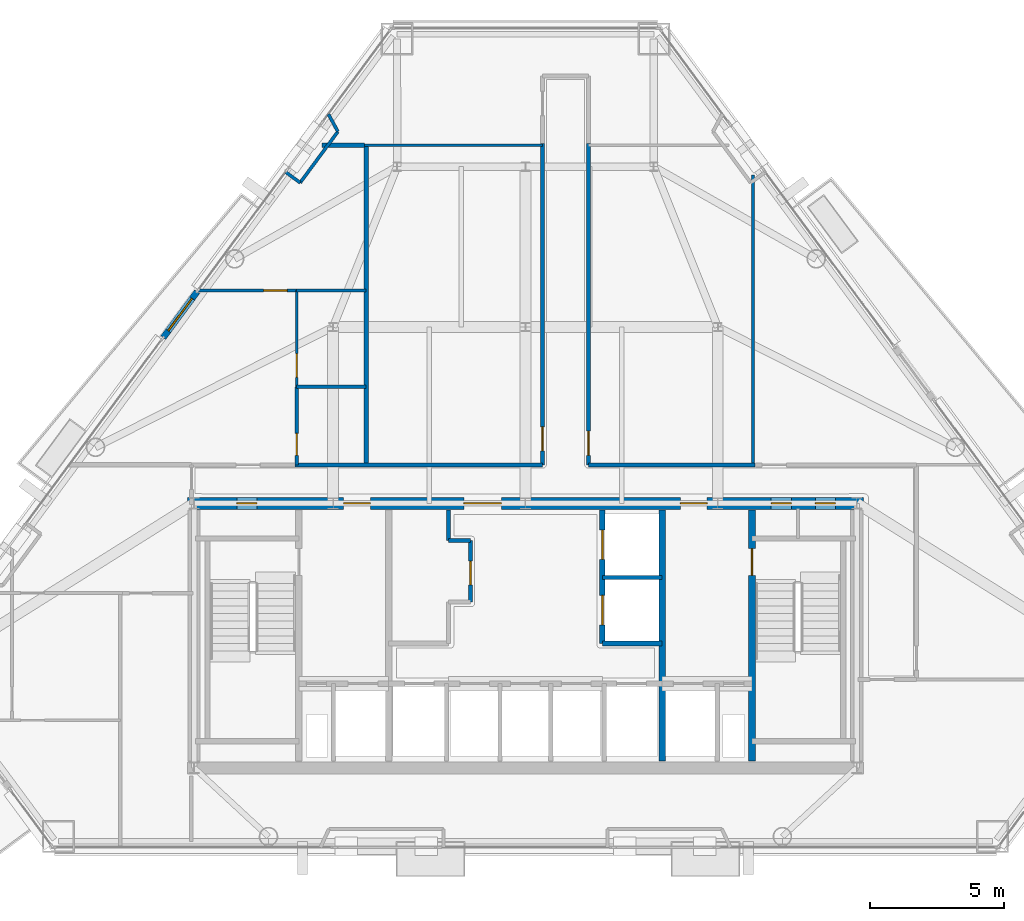
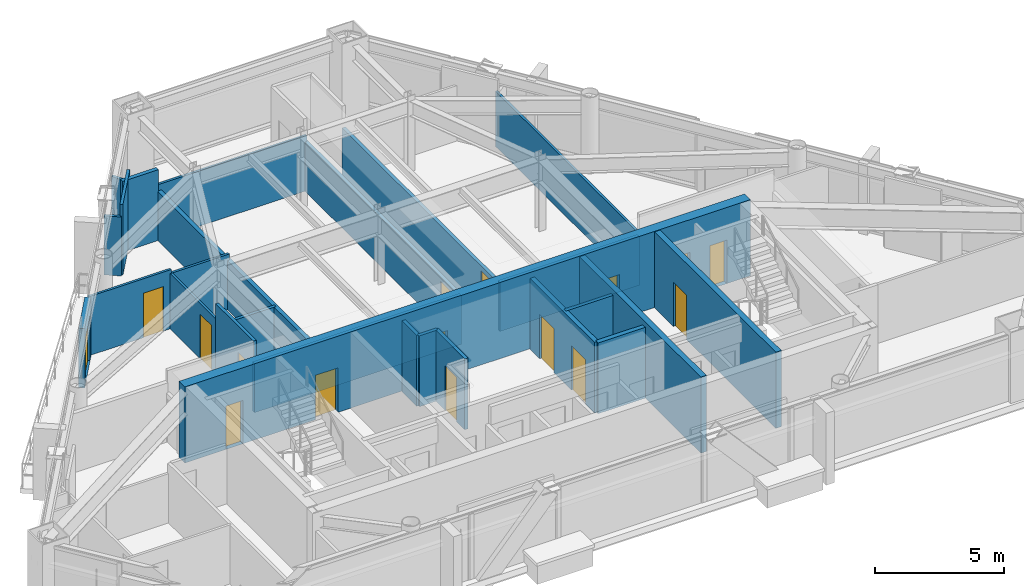
# One storey, part 8 of 11: 26 walls, 16 doors, 16 openings.
"""IFC4 building model written with IfcOpenShell, lengths in metres."""

from ifc_helpers import new_model, si_unit, direction, frame, frame_2d, origin, place, context, subcontext, project, spatial, rectangle, extrude, material, layer, layer_set, type_object, element, fill, save


model = new_model("IFC4")

# Units and contexts
model_context = context("Model", 3, precision=1e-05, world=origin(), true_north=direction((0.0, 1.0)))
body_context = subcontext(model_context, "Body", "Model", "MODEL_VIEW")
ifc_project = project(units=[si_unit("LENGTHUNIT", "METRE"), si_unit("AREAUNIT", "SQUARE_METRE"), si_unit("VOLUMEUNIT", "CUBIC_METRE"), si_unit("PLANEANGLEUNIT", "RADIAN"), si_unit("MASSUNIT", "GRAM", prefix="KILO")], contexts=[model_context])

# Site, building, storey
site_placement = place(None, origin())
site = spatial("IfcSite", under=ifc_project, at=site_placement, CompositionType="ELEMENT")
building_placement = place(site_placement, origin())
building = spatial("IfcBuilding", under=site, at=building_placement, Name="Talgorran Terracotta Tower", CompositionType="ELEMENT")
storey_placement = place(building_placement, frame((0.0, 0.0, 143.699951171875)))
storey = spatial("IfcBuildingStorey", under=building, at=storey_placement, Name="L37", CompositionType="ELEMENT", Elevation=143.699951171875)

# Wall, opening, door
ifc_material_1 = material(Name="Concrete C40/50", Category="concrete")
ifc_layer_1 = layer(ifc_material_1, 0.239990234375, Name="WT_BALCONY_SPAND")
ifc_layer_set_1 = layer_set([ifc_layer_1], Name="Concrete C40/50")
wall_type_1 = type_object("IfcWallType", Name="WT_BALCONY_SPAND", PredefinedType="STANDARD", material=ifc_layer_set_1)
wall_1_placement = place(storey_placement, frame((-12.28759765625, 3.72119140625, -0.014892578125), z_axis=(0.0, 0.0, 1.0), x_axis=(-0.593996463284, -0.804467651062, 0.0)))
wall_1 = element("IfcWall", 1, at=wall_1_placement, inside=storey, type_object=wall_type_1, Name="WL-L37-BALP-BAL-NW", PredefinedType="STANDARD", context=body_context, shape_type="SweptSolid", body=[
    extrude(rectangle(XDim=2.14013671875, YDim=0.239990234375, at=frame_2d((1.070068359375, 0.0))), origin(), (0.0, 0.0, 1.0), 2.806884765625),
])
opening_1_placement = place(wall_1_placement, frame((0.320068359375, 0.0, 0.014892578125)))
opening_1 = element("IfcOpeningElement", 2, at=opening_1_placement, cuts=wall_1, Name="Opening D-BAL-L37-2", PredefinedType="OPENING", context=body_context, shape_type="SweptSolid", body=[
    extrude(rectangle(XDim=1.506, YDim=2.203951171875, at=frame_2d((0.75, 1.10205078125))), frame((0.0, 0.1298828125, 0.0), z_axis=(0.0, -1.0, 0.0), x_axis=(1.0, 0.0, 0.0)), (0.0, 0.0, 1.0), 0.260009765625),
])
ifc_material_2 = material(Name="Thermally Broken Aluminium", Category="aluminium")
door_type_1 = type_object("IfcDoorType", Name="DT_BALC_1500", OperationType="SLIDING_TO_RIGHT", PredefinedType="DOOR", material=ifc_material_2)
door_1_placement = place(opening_1_placement, origin())
door_1 = element("IfcDoor", 3, at=door_1_placement, inside=storey, type_object=door_type_1, Name="DR-L37-BAL-BAL-NW", OperationType="SLIDING_TO_RIGHT", OverallHeight=2.199951171875, OverallWidth=1.5, PredefinedType="DOOR", context=body_context, shape_type="SweptSolid", body=[
    extrude(rectangle(XDim=1.5, YDim=2.199951171875, at=frame_2d((0.75, 1.10009765625))), frame((0.0, 0.02490234375, 0.0), z_axis=(0.0, -1.0, 0.0), x_axis=(1.0, 0.0, 0.0)), (0.0, 0.0, 1.0), 0.050048828125),
])
fill(opening_1, door_1)

# Wall, openings, doors
ifc_material_3 = material(Name="Concrete C50/60", Category="concrete")
ifc_layer_2 = layer(ifc_material_3, 0.199951171875, Name="WT_CORE_200")
ifc_layer_set_2 = layer_set([ifc_layer_2], Name="Concrete C50/60")
wall_type_2 = type_object("IfcWallType", Name="WT_CORE_200", PredefinedType="SOLIDWALL", material=ifc_layer_set_2)
wall_2_placement = place(storey_placement, frame((2.8798828125, -9.449951171875, 0.0), z_axis=(0.0, 0.0, 1.0), x_axis=(0.0, 1.0, 0.0)))
wall_2 = element("IfcWall", 4, at=wall_2_placement, inside=storey, type_object=wall_type_2, Name="WL-L37-CW-V-E3", PredefinedType="SOLIDWALL", context=body_context, shape_type="SweptSolid", body=[
    extrude(rectangle(XDim=5.0, YDim=0.199951171875, at=frame_2d((2.5, 0.0))), origin(), (0.0, 0.0, 1.0), 3.35009765625),
])
opening_2_placement = place(wall_2_placement, frame((0.699951171875, 0.0, 0.0)))
opening_2 = element("IfcOpeningElement", 5, at=opening_2_placement, cuts=wall_2, Name="Opening LD-PLM1", PredefinedType="OPENING", context=body_context, shape_type="SweptSolid", body=[
    extrude(rectangle(XDim=1.10609765625, YDim=2.10409765625, at=frame_2d((0.550048828125, 1.052001953125))), frame((0.0, 0.10986328125, 0.0), z_axis=(0.0, -1.0, 0.0), x_axis=(1.0, 0.0, 0.0)), (0.0, 0.0, 1.0), 0.219970703125),
])
opening_3_placement = place(wall_2_placement, frame((3.14990234375, 0.0, 0.0)))
opening_3 = element("IfcOpeningElement", 6, at=opening_3_placement, cuts=wall_2, Name="Opening LD-PLM2", PredefinedType="OPENING", context=body_context, shape_type="SweptSolid", body=[
    extrude(rectangle(XDim=1.10609765625, YDim=2.10409765625, at=frame_2d((0.550048828125, 1.052001953125))), frame((0.0, 0.10986328125, 0.0), z_axis=(0.0, -1.0, 0.0), x_axis=(1.0, 0.0, 0.0)), (0.0, 0.0, 1.0), 0.219970703125),
])
ifc_material_4 = material(Name="Brushed Stainless Steel Grade 304", Category="steel")
door_type_2 = type_object("IfcDoorType", Name="DT_LIFT_LD1100", OperationType="DOUBLE_DOOR_SLIDING", PredefinedType="DOOR", material=ifc_material_4)
door_2_placement = place(opening_2_placement, origin())
door_2 = element("IfcDoor", 7, at=door_2_placement, inside=storey, type_object=door_type_2, Name="L37 Lift Landing Door LD-PLM1", OperationType="DOUBLE_DOOR_SLIDING", OverallHeight=2.10009765625, OverallWidth=1.10009765625, PredefinedType="DOOR", context=body_context, shape_type="SweptSolid", body=[
    extrude(rectangle(XDim=1.10009765625, YDim=2.10009765625, at=frame_2d((0.550048828125, 1.050048828125))), frame((0.0, 0.02490234375, 0.0), z_axis=(0.0, -1.0, 0.0), x_axis=(1.0, 0.0, 0.0)), (0.0, 0.0, 1.0), 0.050048828125),
])
fill(opening_2, door_2)
door_3_placement = place(opening_3_placement, origin())
door_3 = element("IfcDoor", 8, at=door_3_placement, inside=storey, type_object=door_type_2, Name="L37 Lift Landing Door LD-PLM2", OperationType="DOUBLE_DOOR_SLIDING", OverallHeight=2.10009765625, OverallWidth=1.10009765625, PredefinedType="DOOR", context=body_context, shape_type="SweptSolid", body=[
    extrude(rectangle(XDim=1.10009765625, YDim=2.10009765625, at=frame_2d((0.550048828125, 1.050048828125))), frame((0.0, 0.02490234375, 0.0), z_axis=(0.0, -1.0, 0.0), x_axis=(1.0, 0.0, 0.0)), (0.0, 0.0, 1.0), 0.050048828125),
])
fill(opening_3, door_3)

# Wall
wall_3_placement = place(storey_placement, frame((2.8798828125, -9.449951171875, 0.0), z_axis=(0.0, 0.0, 1.0), x_axis=(1.0, 0.0, 0.0)))
element("IfcWall", 9, at=wall_3_placement, inside=storey, type_object=wall_type_2, Name="WL-L37-CW-H-E4", PredefinedType="SOLIDWALL", context=body_context, shape_type="SweptSolid", body=[
    extrude(rectangle(XDim=2.240234375, YDim=0.199951171875, at=frame_2d((1.1201171875, 0.0))), origin(), (0.0, 0.0, 1.0), 3.35009765625),
])

# Wall, opening, door
ifc_layer_3 = layer(ifc_material_3, 0.25, Name="WT_CORE_250")
ifc_layer_set_3 = layer_set([ifc_layer_3], Name="Concrete C50/60")
wall_type_3 = type_object("IfcWallType", Name="WT_CORE_250", PredefinedType="SHEAR", material=ifc_layer_set_3)
wall_4_placement = place(storey_placement, frame((8.47998046875, -13.85009765625, 0.0), z_axis=(0.0, 0.0, 1.0), x_axis=(0.0, 1.0, 0.0)))
wall_4 = element("IfcWall", 10, at=wall_4_placement, inside=storey, type_object=wall_type_3, Name="WL-L37-CW-V-E1", PredefinedType="SHEAR", context=body_context, shape_type="SweptSolid", body=[
    extrude(rectangle(XDim=9.400146484375, YDim=0.25, at=frame_2d((4.7001953125, 0.0))), origin(), (0.0, 0.0, 1.0), 3.60009765625),
])
opening_4_placement = place(wall_4_placement, frame((6.949951171875, 0.0, 0.0)))
opening_4 = element("IfcOpeningElement", 11, at=opening_4_placement, cuts=wall_4, Name="Opening DR-ST02", PredefinedType="OPENING", context=body_context, shape_type="SweptSolid", body=[
    extrude(rectangle(XDim=1.006, YDim=2.10409765625, at=frame_2d((0.5, 1.052001953125))), frame((0.0, 0.135009765625, 0.0), z_axis=(0.0, -1.0, 0.0), x_axis=(1.0, 0.0, 0.0)), (0.0, 0.0, 1.0), 0.27001953125),
])
ifc_material_5 = material(Name="Fire-Rated Pressed Steel", Category="steel")
door_type_3 = type_object("IfcDoorType", Name="DT_FIRE_1000", OperationType="NOTDEFINED", PredefinedType="DOOR", material=ifc_material_5)
door_4_placement = place(opening_4_placement, origin())
door_4 = element("IfcDoor", 12, at=door_4_placement, inside=storey, type_object=door_type_3, Name="DR-ST02", OperationType="SINGLE_SWING_RIGHT", OverallHeight=2.10009765625, OverallWidth=1.0, PredefinedType="DOOR", context=body_context, shape_type="SweptSolid", body=[
    extrude(rectangle(XDim=1.0, YDim=2.10009765625, at=frame_2d((0.5, 1.050048828125))), frame((0.0, 0.02490234375, 0.0), z_axis=(0.0, -1.0, 0.0), x_axis=(1.0, 0.0, 0.0)), (0.0, 0.0, 1.0), 0.050048828125),
])
fill(opening_4, door_4)

# Wall
wall_5_placement = place(storey_placement, frame((5.1201171875, -13.85009765625, 0.0), z_axis=(0.0, 0.0, 1.0), x_axis=(0.0, 1.0, 0.0)))
element("IfcWall", 13, at=wall_5_placement, inside=storey, type_object=wall_type_3, Name="WL-L37-CW-V-E2", PredefinedType="SHEAR", context=body_context, shape_type="SweptSolid", body=[
    extrude(rectangle(XDim=9.400146484375, YDim=0.25, at=frame_2d((4.7001953125, 0.0))), origin(), (0.0, 0.0, 1.0), 3.60009765625),
])

# Wall, openings, doors
ifc_material_6 = material(Name="Concrete C65/80", Category="concrete")
ifc_layer_4 = layer(ifc_material_6, 0.449951171875, Name="WT_CORE_EXT")
ifc_layer_set_4 = layer_set([ifc_layer_4], Name="Concrete C65/80")
wall_type_4 = type_object("IfcWallType", Name="WT_CORE_EXT", PredefinedType="SHEAR", material=ifc_layer_set_4)
wall_6_placement = place(storey_placement, frame((-12.64990234375, -4.199951171875, 0.0), z_axis=(0.0, 0.0, 1.0), x_axis=(1.0, 0.0, 0.0)))
wall_6 = element("IfcWall", 14, at=wall_6_placement, inside=storey, type_object=wall_type_4, Name="WL-L37-CW-OUT-N", PredefinedType="SHEAR", context=body_context, shape_type="SweptSolid", body=[
    extrude(rectangle(XDim=25.2998046875, YDim=0.449951171875, at=frame_2d((12.64990234375, 0.0))), origin(), (0.0, 0.0, 1.0), 3.60009765625),
])
opening_5_placement = place(wall_6_placement, frame((1.85009765625, 0.0, 0.0)))
opening_5 = element("IfcOpeningElement", 15, at=opening_5_placement, cuts=wall_6, Name="Opening DR-CSN1", PredefinedType="OPENING", context=body_context, shape_type="SweptSolid", body=[
    extrude(rectangle(XDim=0.756, YDim=2.054048828125, at=frame_2d((0.375, 1.027099609375))), frame((0.0, 0.23486328125, 0.0), z_axis=(0.0, -1.0, 0.0), x_axis=(1.0, 0.0, 0.0)), (0.0, 0.0, 1.0), 0.469970703125),
])
opening_6_placement = place(wall_6_placement, frame((21.85009765625, 0.0, 0.0)))
opening_6 = element("IfcOpeningElement", 16, at=opening_6_placement, cuts=wall_6, Name="Opening DR-CSN2", PredefinedType="OPENING", context=body_context, shape_type="SweptSolid", body=[
    extrude(rectangle(XDim=0.756, YDim=2.054048828125, at=frame_2d((0.375, 1.027099609375))), frame((0.0, 0.23486328125, 0.0), z_axis=(0.0, -1.0, 0.0), x_axis=(1.0, 0.0, 0.0)), (0.0, 0.0, 1.0), 0.469970703125),
])
opening_7_placement = place(wall_6_placement, frame((23.5, 0.0, 0.0)))
opening_7 = element("IfcOpeningElement", 17, at=opening_7_placement, cuts=wall_6, Name="Opening DR-CSN3", PredefinedType="OPENING", context=body_context, shape_type="SweptSolid", body=[
    extrude(rectangle(XDim=0.756, YDim=2.054048828125, at=frame_2d((0.375, 1.027099609375))), frame((0.0, 0.23486328125, 0.0), z_axis=(0.0, -1.0, 0.0), x_axis=(1.0, 0.0, 0.0)), (0.0, 0.0, 1.0), 0.469970703125),
])
opening_8_placement = place(wall_6_placement, frame((5.85009765625, 0.0, 0.0)))
opening_8 = element("IfcOpeningElement", 18, at=opening_8_placement, cuts=wall_6, Name="Opening DR-FFLW-N", PredefinedType="OPENING", context=body_context, shape_type="SweptSolid", body=[
    extrude(rectangle(XDim=1.006, YDim=2.10409765625, at=frame_2d((0.5, 1.052001953125))), frame((0.0, 0.23486328125, 0.0), z_axis=(0.0, -1.0, 0.0), x_axis=(1.0, 0.0, 0.0)), (0.0, 0.0, 1.0), 0.469970703125),
])
opening_9_placement = place(wall_6_placement, frame((10.35009765625, 0.0, 0.0)))
opening_9 = element("IfcOpeningElement", 19, at=opening_9_placement, cuts=wall_6, Name="Opening DR-PLL-N", PredefinedType="OPENING", context=body_context, shape_type="SweptSolid", body=[
    extrude(rectangle(XDim=1.40590234375, YDim=2.15390234375, at=frame_2d((0.699951171875, 1.076904296875))), frame((0.0, 0.23486328125, 0.0), z_axis=(0.0, -1.0, 0.0), x_axis=(1.0, 0.0, 0.0)), (0.0, 0.0, 1.0), 0.469970703125),
])
opening_10_placement = place(wall_6_placement, frame((18.449951171875, 0.0, 0.0)))
opening_10 = element("IfcOpeningElement", 20, at=opening_10_placement, cuts=wall_6, Name="Opening DR-FFLE-N", PredefinedType="OPENING", context=body_context, shape_type="SweptSolid", body=[
    extrude(rectangle(XDim=1.006, YDim=2.10409765625, at=frame_2d((0.5, 1.052001953125))), frame((0.0, 0.23486328125, 0.0), z_axis=(0.0, -1.0, 0.0), x_axis=(1.0, 0.0, 0.0)), (0.0, 0.0, 1.0), 0.469970703125),
])
ifc_material_7 = material(Name="Acoustic Glazed Timber", Category="wood")
door_type_4 = type_object("IfcDoorType", Name="DT_DOUBLE_1400", OperationType="DOUBLE_DOOR_SINGLE_SWING", PredefinedType="DOOR", material=ifc_material_7)
door_5_placement = place(opening_9_placement, origin())
door_5 = element("IfcDoor", 21, at=door_5_placement, inside=storey, type_object=door_type_4, Name="DR-PLL-N", OperationType="DOUBLE_DOOR_SINGLE_SWING", OverallHeight=2.14990234375, OverallWidth=1.39990234375, PredefinedType="DOOR", context=body_context, shape_type="SweptSolid", body=[
    extrude(rectangle(XDim=1.39990234375, YDim=2.14990234375, at=frame_2d((0.699951171875, 1.074951171875))), frame((0.0, 0.02490234375, 0.0), z_axis=(0.0, -1.0, 0.0), x_axis=(1.0, 0.0, 0.0)), (0.0, 0.0, 1.0), 0.050048828125),
])
fill(opening_9, door_5)
door_6_placement = place(opening_8_placement, origin())
door_6 = element("IfcDoor", 22, at=door_6_placement, inside=storey, type_object=door_type_3, Name="DR-FFLW-N", OperationType="SINGLE_SWING_LEFT", OverallHeight=2.10009765625, OverallWidth=1.0, PredefinedType="DOOR", context=body_context, shape_type="SweptSolid", body=[
    extrude(rectangle(XDim=1.0, YDim=2.10009765625, at=frame_2d((0.5, 1.050048828125))), frame((0.0, 0.02490234375, 0.0), z_axis=(0.0, -1.0, 0.0), x_axis=(1.0, 0.0, 0.0)), (0.0, 0.0, 1.0), 0.050048828125),
])
fill(opening_8, door_6)
door_7_placement = place(opening_10_placement, origin())
door_7 = element("IfcDoor", 23, at=door_7_placement, inside=storey, type_object=door_type_3, Name="DR-FFLE-N", OperationType="SINGLE_SWING_RIGHT", OverallHeight=2.10009765625, OverallWidth=1.0, PredefinedType="DOOR", context=body_context, shape_type="SweptSolid", body=[
    extrude(rectangle(XDim=1.0, YDim=2.10009765625, at=frame_2d((0.5, 1.050048828125))), frame((0.0, 0.02490234375, 0.0), z_axis=(0.0, -1.0, 0.0), x_axis=(1.0, 0.0, 0.0)), (0.0, 0.0, 1.0), 0.050048828125),
])
fill(opening_10, door_7)
door_type_5 = type_object("IfcDoorType", Name="DT_RISER_750", OperationType="NOTDEFINED", PredefinedType="DOOR", material=ifc_material_5)
door_8_placement = place(opening_5_placement, origin())
door_8 = element("IfcDoor", 24, at=door_8_placement, inside=storey, type_object=door_type_5, Name="DR-CSN1", OperationType="SINGLE_SWING_LEFT", OverallHeight=2.050048828125, OverallWidth=0.75, PredefinedType="DOOR", context=body_context, shape_type="SweptSolid", body=[
    extrude(rectangle(XDim=0.75, YDim=2.050048828125, at=frame_2d((0.375, 1.02490234375))), frame((0.0, 0.02490234375, 0.0), z_axis=(0.0, -1.0, 0.0), x_axis=(1.0, 0.0, 0.0)), (0.0, 0.0, 1.0), 0.050048828125),
])
fill(opening_5, door_8)
door_9_placement = place(opening_6_placement, origin())
door_9 = element("IfcDoor", 25, at=door_9_placement, inside=storey, type_object=door_type_5, Name="DR-CSN2", OperationType="SINGLE_SWING_LEFT", OverallHeight=2.050048828125, OverallWidth=0.75, PredefinedType="DOOR", context=body_context, shape_type="SweptSolid", body=[
    extrude(rectangle(XDim=0.75, YDim=2.050048828125, at=frame_2d((0.375, 1.02490234375))), frame((0.0, 0.02490234375, 0.0), z_axis=(0.0, -1.0, 0.0), x_axis=(1.0, 0.0, 0.0)), (0.0, 0.0, 1.0), 0.050048828125),
])
fill(opening_6, door_9)
door_10_placement = place(opening_7_placement, origin())
door_10 = element("IfcDoor", 26, at=door_10_placement, inside=storey, type_object=door_type_5, Name="DR-CSN3", OperationType="SINGLE_SWING_RIGHT", OverallHeight=2.050048828125, OverallWidth=0.75, PredefinedType="DOOR", context=body_context, shape_type="SweptSolid", body=[
    extrude(rectangle(XDim=0.75, YDim=2.050048828125, at=frame_2d((0.375, 1.02490234375))), frame((0.0, 0.02490234375, 0.0), z_axis=(0.0, -1.0, 0.0), x_axis=(1.0, 0.0, 0.0)), (0.0, 0.0, 1.0), 0.050048828125),
])
fill(opening_7, door_10)

# Wall, opening, door
ifc_material_8 = material(Name="Fire-Rated Steel Stud Plasterboard", Category="steel")
ifc_layer_5 = layer(ifc_material_8, 0.14990234375, Name="WT_FIRE_150")
ifc_layer_set_5 = layer_set([ifc_layer_5], Name="Fire-Rated Steel Stud Plasterboard")
wall_type_5 = type_object("IfcWallType", Name="WT_FIRE_150", PredefinedType="PARTITIONING", material=ifc_layer_set_5)
wall_7_placement = place(storey_placement, frame((-2.06005859375, -7.89990234375, 0.0), z_axis=(0.0, 0.0, 1.0), x_axis=(0.0, 1.0, 0.0)))
wall_7 = element("IfcWall", 27, at=wall_7_placement, inside=storey, type_object=wall_type_5, Name="WL-L37-CW-V-W3C", PredefinedType="PARTITIONING", context=body_context, shape_type="SweptSolid", body=[
    extrude(rectangle(XDim=2.2998046875, YDim=0.14990234375, at=frame_2d((1.14990234375, 0.0))), origin(), (0.0, 0.0, 1.0), 3.35009765625),
])
opening_11_placement = place(wall_7_placement, frame((0.64990234375, 0.0, 0.0)))
opening_11 = element("IfcOpeningElement", 28, at=opening_11_placement, cuts=wall_7, Name="Opening DR-FRPLL-B", PredefinedType="OPENING", context=body_context, shape_type="SweptSolid", body=[
    extrude(rectangle(XDim=0.8858828125, YDim=2.10409765625, at=frame_2d((0.43994140625, 1.052001953125))), frame((0.0, 0.0849609375, 0.0), z_axis=(0.0, -1.0, 0.0), x_axis=(1.0, 0.0, 0.0)), (0.0, 0.0, 1.0), 0.169921875),
])
ifc_material_9 = material(Name="Solid-Core Painted Timber", Category="wood")
door_type_6 = type_object("IfcDoorType", Name="DT_INT_880", OperationType="NOTDEFINED", PredefinedType="DOOR", material=ifc_material_9)
door_11_placement = place(opening_11_placement, origin())
door_11 = element("IfcDoor", 29, at=door_11_placement, inside=storey, type_object=door_type_6, Name="DR-FRPLL-B", OperationType="SINGLE_SWING_LEFT", OverallHeight=2.10009765625, OverallWidth=0.8798828125, PredefinedType="DOOR", context=body_context, shape_type="SweptSolid", body=[
    extrude(rectangle(XDim=0.8798828125, YDim=2.10009765625, at=frame_2d((0.43994140625, 1.050048828125))), frame((0.0, 0.02490234375, 0.0), z_axis=(0.0, -1.0, 0.0), x_axis=(1.0, 0.0, 0.0)), (0.0, 0.0, 1.0), 0.050048828125),
])
fill(opening_11, door_11)

# Walls
wall_8_placement = place(storey_placement, frame((-2.8798828125, -5.60009765625, 0.0), z_axis=(0.0, 0.0, 1.0), x_axis=(1.0, 0.0, 0.0)))
element("IfcWall", 30, at=wall_8_placement, inside=storey, type_object=wall_type_5, Name="WL-L37-CW-H-W3D", PredefinedType="PARTITIONING", context=body_context, shape_type="SweptSolid", body=[
    extrude(rectangle(XDim=0.81982421875, YDim=0.14990234375, at=frame_2d((0.409912109375, 0.0))), origin(), (0.0, 0.0, 1.0), 3.35009765625),
])
wall_9_placement = place(storey_placement, frame((-2.8798828125, -5.60009765625, 0.0), z_axis=(0.0, 0.0, 1.0), x_axis=(0.0, 1.0, 0.0)))
element("IfcWall", 31, at=wall_9_placement, inside=storey, type_object=wall_type_5, Name="WL-L37-CW-V-W3E", PredefinedType="PARTITIONING", context=body_context, shape_type="SweptSolid", body=[
    extrude(rectangle(XDim=1.150146484375, YDim=0.14990234375, at=frame_2d((0.5751953125, 0.0))), origin(), (0.0, 0.0, 1.0), 3.35009765625),
])

# Wall, opening, door
wall_10_placement = place(storey_placement, frame((0.639892578125, -2.760009765625, 0.0), z_axis=(0.0, 0.0, 1.0), x_axis=(0.0, 1.0, 0.0)))
wall_10 = element("IfcWall", 32, at=wall_10_placement, inside=storey, type_object=wall_type_5, Name="WL-L37-W-L37-R10", PredefinedType="PARTITIONING", context=body_context, shape_type="SweptSolid", body=[
    extrude(rectangle(XDim=12.02001953125, YDim=0.14990234375, at=frame_2d((6.010009765625, 0.0))), origin(), (0.0, 0.0, 1.0), 2.324951171875),
])
opening_12_placement = place(wall_10_placement, frame((0.5185546875, 0.0, 0.0)))
opening_12 = element("IfcOpeningElement", 33, at=opening_12_placement, cuts=wall_10, Name="Opening DR-L37-R12", PredefinedType="OPENING", context=body_context, shape_type="SweptSolid", body=[
    extrude(rectangle(XDim=0.90590234375, YDim=2.10409765625, at=frame_2d((0.449951171875, 1.052001953125))), frame((0.0, 0.0849609375, 0.0), z_axis=(0.0, -1.0, 0.0), x_axis=(1.0, 0.0, 0.0)), (0.0, 0.0, 1.0), 0.169921875),
])
ifc_material_10 = material(Name="Fire-Rated Timber Core", Category="wood")
door_type_7 = type_object("IfcDoorType", Name="DT_FIRE_900", OperationType="NOTDEFINED", PredefinedType="DOOR", material=ifc_material_10)
door_12_placement = place(opening_12_placement, origin())
door_12 = element("IfcDoor", 34, at=door_12_placement, inside=storey, type_object=door_type_7, Name="DR-L37-R12", OperationType="SINGLE_SWING_RIGHT", OverallHeight=2.10009765625, OverallWidth=0.89990234375, PredefinedType="DOOR", context=body_context, shape_type="SweptSolid", body=[
    extrude(rectangle(XDim=0.89990234375, YDim=2.10009765625, at=frame_2d((0.449951171875, 1.050048828125))), frame((0.0, 0.02490234375, 0.0), z_axis=(0.0, -1.0, 0.0), x_axis=(1.0, 0.0, 0.0)), (0.0, 0.0, 1.0), 0.050048828125),
])
fill(opening_12, door_12)

wall_11_placement = place(storey_placement, frame((2.360107421875, -2.760009765625, 0.0), z_axis=(0.0, 0.0, 1.0), x_axis=(0.0, 1.0, 0.0)))
wall_11 = element("IfcWall", 35, at=wall_11_placement, inside=storey, type_object=wall_type_5, Name="WL-L37-W-L37-R11", PredefinedType="PARTITIONING", context=body_context, shape_type="SweptSolid", body=[
    extrude(rectangle(XDim=12.02001953125, YDim=0.14990234375, at=frame_2d((6.010009765625, 0.0))), origin(), (0.0, 0.0, 1.0), 2.324951171875),
])
opening_13_placement = place(wall_11_placement, frame((0.359130859375, 0.0, 0.0)))
opening_13 = element("IfcOpeningElement", 36, at=opening_13_placement, cuts=wall_11, Name="Opening DR-L37-R13", PredefinedType="OPENING", context=body_context, shape_type="SweptSolid", body=[
    extrude(rectangle(XDim=0.90590234375, YDim=2.10409765625, at=frame_2d((0.449951171875, 1.052001953125))), frame((0.0, 0.0849609375, 0.0), z_axis=(0.0, -1.0, 0.0), x_axis=(1.0, 0.0, 0.0)), (0.0, 0.0, 1.0), 0.169921875),
])
door_13_placement = place(opening_13_placement, origin())
door_13 = element("IfcDoor", 37, at=door_13_placement, inside=storey, type_object=door_type_7, Name="DR-L37-R13", OperationType="SINGLE_SWING_LEFT", OverallHeight=2.10009765625, OverallWidth=0.89990234375, PredefinedType="DOOR", context=body_context, shape_type="SweptSolid", body=[
    extrude(rectangle(XDim=0.89990234375, YDim=2.10009765625, at=frame_2d((0.449951171875, 1.050048828125))), frame((0.0, 0.02490234375, 0.0), z_axis=(0.0, -1.0, 0.0), x_axis=(1.0, 0.0, 0.0)), (0.0, 0.0, 1.0), 0.050048828125),
])
fill(opening_13, door_13)

# Walls
wall_12_placement = place(storey_placement, frame((-8.6201171875, -2.760009765625, 0.0), z_axis=(0.0, 0.0, 1.0), x_axis=(1.0, 0.0, 0.0)))
element("IfcWall", 38, at=wall_12_placement, inside=storey, type_object=wall_type_5, Name="WL-L37-W-L37-R09", PredefinedType="PARTITIONING", context=body_context, shape_type="SweptSolid", body=[
    extrude(rectangle(XDim=9.260009765625, YDim=0.14990234375, at=frame_2d((4.6298828125, 0.0))), origin(), (0.0, 0.0, 1.0), 2.324951171875),
])
wall_13_placement = place(storey_placement, frame((2.360107421875, -2.760009765625, 0.0), z_axis=(0.0, 0.0, 1.0), x_axis=(1.0, 0.0, 0.0)))
element("IfcWall", 39, at=wall_13_placement, inside=storey, type_object=wall_type_5, Name="WL-L37-W-L37-R12", PredefinedType="PARTITIONING", context=body_context, shape_type="SweptSolid", body=[
    extrude(rectangle(XDim=6.239990234375, YDim=0.14990234375, at=frame_2d((3.1201171875, 0.0))), origin(), (0.0, 0.0, 1.0), 2.324951171875),
])
ifc_material_11 = material(Name="Acoustic Stud and Plasterboard")
ifc_layer_6 = layer(ifc_material_11, 0.179931640625, Name="WT_PARTY_200")
ifc_layer_set_6 = layer_set([ifc_layer_6], Name="Acoustic Stud and Plasterboard")
wall_type_6 = type_object("IfcWallType", Name="WT_PARTY_200", PredefinedType="PARTITIONING", material=ifc_layer_set_6)
wall_14_placement = place(storey_placement, frame((-5.9599609375, -2.760009765625, 0.0), z_axis=(0.0, 0.0, 1.0), x_axis=(0.0, 1.0, 0.0)))
element("IfcWall", 40, at=wall_14_placement, inside=storey, type_object=wall_type_6, Name="WL-L37-W-L37-R34", PredefinedType="PARTITIONING", context=body_context, shape_type="SweptSolid", body=[
    extrude(rectangle(XDim=11.9599609375, YDim=0.179931640625, at=frame_2d((5.97998046875, 0.0))), origin(), (0.0, 0.0, 1.0), 2.324951171875),
])
wall_15_placement = place(storey_placement, frame((-7.6201171875, 9.199951171875, 0.0), z_axis=(0.0, 0.0, 1.0), x_axis=(1.0, 0.0, 0.0)))
element("IfcWall", 41, at=wall_15_placement, inside=storey, type_object=wall_type_6, Name="WL-L37-W-L37-R24", PredefinedType="PARTITIONING", context=body_context, shape_type="SweptSolid", body=[
    extrude(rectangle(XDim=1.59814453125, YDim=0.179931640625, at=frame_2d((0.799072265625, 0.0))), origin(), (0.0, 0.0, 1.0), 3.35009765625),
])
ifc_material_12 = material(Name="Lightweight Steel Stud Partition", Category="steel")
ifc_layer_7 = layer(ifc_material_12, 0.10498046875, Name="WT_PART_110")
ifc_layer_set_7 = layer_set([ifc_layer_7], Name="Lightweight Steel Stud Partition")
wall_type_7 = type_object("IfcWallType", Name="WT_PART_110", PredefinedType="PARTITIONING", material=ifc_layer_set_7)
wall_16_placement = place(storey_placement, frame((8.52001953125, -2.760009765625, 0.0), z_axis=(0.0, 0.0, 1.0), x_axis=(0.0, 1.0, 0.0)))
element("IfcWall", 42, at=wall_16_placement, inside=storey, type_object=wall_type_7, Name="WL-L37-W-L37-R35", PredefinedType="PARTITIONING", context=body_context, shape_type="SweptSolid", body=[
    extrude(rectangle(XDim=10.840087890625, YDim=0.10498046875, at=frame_2d((5.419921875, 0.0))), origin(), (0.0, 0.0, 1.0), 2.616943359375),
])
wall_17_placement = place(storey_placement, frame((-6.02001953125, 9.199951171875, 0.0), z_axis=(0.0, 0.0, 1.0), x_axis=(1.0, 0.0, 0.0)))
element("IfcWall", 43, at=wall_17_placement, inside=storey, type_object=wall_type_7, Name="WL-L37-W-L37-R25", PredefinedType="PARTITIONING", context=body_context, shape_type="SweptSolid", body=[
    extrude(rectangle(XDim=6.659912109375, YDim=0.10498046875, at=frame_2d((3.330078125, 0.0))), origin(), (0.0, 0.0, 1.0), 2.616943359375),
])

# Wall, opening, door
wall_18_placement = place(storey_placement, frame((-12.2587890625, 3.760009765625, 0.0), z_axis=(0.0, 0.0, 1.0), x_axis=(1.0, 0.0, 0.0)))
wall_18 = element("IfcWall", 44, at=wall_18_placement, inside=storey, type_object=wall_type_7, Name="WL-L37-W-L37-R33", PredefinedType="PARTITIONING", context=body_context, shape_type="SweptSolid", body=[
    extrude(rectangle(XDim=3.69873046875, YDim=0.10498046875, at=frame_2d((1.849365234375, 0.0))), origin(), (0.0, 0.0, 1.0), 2.7919921875),
])
opening_14_placement = place(wall_18_placement, frame((2.458740234375, 0.0, 0.0)))
opening_14 = element("IfcOpeningElement", 45, at=opening_14_placement, cuts=wall_18, Name="Opening DR-L37-R11", PredefinedType="OPENING", context=body_context, shape_type="SweptSolid", body=[
    extrude(rectangle(XDim=0.8858828125, YDim=2.10409765625, at=frame_2d((0.43994140625, 1.052001953125))), frame((0.0, 0.0625, 0.0), z_axis=(0.0, -1.0, 0.0), x_axis=(1.0, 0.0, 0.0)), (0.0, 0.0, 1.0), 0.125),
])
door_14_placement = place(opening_14_placement, origin())
door_14 = element("IfcDoor", 46, at=door_14_placement, inside=storey, type_object=door_type_6, Name="DR-L37-R11", OperationType="SINGLE_SWING_LEFT", OverallHeight=2.10009765625, OverallWidth=0.8798828125, PredefinedType="DOOR", context=body_context, shape_type="SweptSolid", body=[
    extrude(rectangle(XDim=0.8798828125, YDim=2.10009765625, at=frame_2d((0.43994140625, 1.050048828125))), frame((0.0, 0.02490234375, 0.0), z_axis=(0.0, -1.0, 0.0), x_axis=(1.0, 0.0, 0.0)), (0.0, 0.0, 1.0), 0.050048828125),
])
fill(opening_14, door_14)

wall_19_placement = place(storey_placement, frame((-8.56005859375, 0.159912109375, 0.0), z_axis=(0.0, 0.0, 1.0), x_axis=(0.0, 1.0, 0.0)))
wall_19 = element("IfcWall", 47, at=wall_19_placement, inside=storey, type_object=wall_type_7, Name="WL-L37-W-L37-R30", PredefinedType="PARTITIONING", context=body_context, shape_type="SweptSolid", body=[
    extrude(rectangle(XDim=3.60009765625, YDim=0.10498046875, at=frame_2d((1.800048828125, 0.0))), origin(), (0.0, 0.0, 1.0), 2.616943359375),
])
opening_15_placement = place(wall_19_placement, frame((0.360107421875, 0.0, 0.0)))
opening_15 = element("IfcOpeningElement", 48, at=opening_15_placement, cuts=wall_19, Name="Opening DR-L37-R09", PredefinedType="OPENING", context=body_context, shape_type="SweptSolid", body=[
    extrude(rectangle(XDim=0.8858828125, YDim=2.10409765625, at=frame_2d((0.43994140625, 1.052001953125))), frame((0.0, 0.0625, 0.0), z_axis=(0.0, -1.0, 0.0), x_axis=(1.0, 0.0, 0.0)), (0.0, 0.0, 1.0), 0.125),
])
door_15_placement = place(opening_15_placement, origin())
door_15 = element("IfcDoor", 49, at=door_15_placement, inside=storey, type_object=door_type_6, Name="DR-L37-R09", OperationType="SINGLE_SWING_LEFT", OverallHeight=2.10009765625, OverallWidth=0.8798828125, PredefinedType="DOOR", context=body_context, shape_type="SweptSolid", body=[
    extrude(rectangle(XDim=0.8798828125, YDim=2.10009765625, at=frame_2d((0.43994140625, 1.050048828125))), frame((0.0, 0.02490234375, 0.0), z_axis=(0.0, -1.0, 0.0), x_axis=(1.0, 0.0, 0.0)), (0.0, 0.0, 1.0), 0.050048828125),
])
fill(opening_15, door_15)

# Walls
wall_20_placement = place(storey_placement, frame((-8.56005859375, 3.760009765625, 0.0), z_axis=(0.0, 0.0, 1.0), x_axis=(1.0, 0.0, 0.0)))
element("IfcWall", 50, at=wall_20_placement, inside=storey, type_object=wall_type_7, Name="WL-L37-W-L37-R31", PredefinedType="PARTITIONING", context=body_context, shape_type="SweptSolid", body=[
    extrude(rectangle(XDim=2.60009765625, YDim=0.10498046875, at=frame_2d((1.300048828125, 0.0))), origin(), (0.0, 0.0, 1.0), 2.616943359375),
])
ifc_material_13 = material(Name="Insulated Steel Stud Plasterboard", Category="steel")
ifc_layer_8 = layer(ifc_material_13, 0.1201171875, Name="WT_PART_120")
ifc_layer_set_8 = layer_set([ifc_layer_8], Name="Insulated Steel Stud Plasterboard")
wall_type_8 = type_object("IfcWallType", Name="WT_PART_120", PredefinedType="PARTITIONING", material=ifc_layer_set_8)
wall_21_placement = place(storey_placement, frame((-7.01904296875, 9.710205078125, 0.0), z_axis=(0.0, 0.0, 1.0), x_axis=(-0.594168747529, -0.804340412674, 0.0)))
element("IfcWall", 51, at=wall_21_placement, inside=storey, type_object=wall_type_8, Name="WL-L37-BW-L37-15", PredefinedType="PARTITIONING", context=body_context, shape_type="SweptSolid", body=[
    extrude(rectangle(XDim=2.3779296875, YDim=0.1201171875, at=frame_2d((1.18896484375, 0.0))), origin(), (0.0, 0.0, 1.0), 3.35009765625),
])
wall_22_placement = place(storey_placement, frame((-7.37158203125, 10.36083984375, 0.0), z_axis=(0.0, 0.0, 1.0), x_axis=(0.476400054493, -0.879228632427, 0.0)))
element("IfcWall", 52, at=wall_22_placement, inside=storey, type_object=wall_type_8, Name="WL-L37-BW-L37-14", PredefinedType="PARTITIONING", context=body_context, shape_type="SweptSolid", body=[
    extrude(rectangle(XDim=0.739990234375, YDim=0.1201171875, at=frame_2d((0.3701171875, 0.0))), origin(), (0.0, 0.0, 1.0), 2.7919921875),
])
wall_23_placement = place(storey_placement, frame((-8.431884765625, 7.797607421875, 0.0), z_axis=(0.0, 0.0, 1.0), x_axis=(-0.804395751644, 0.594093826543, 0.0)))
element("IfcWall", 53, at=wall_23_placement, inside=storey, type_object=wall_type_8, Name="WL-L37-BW-L37-16", PredefinedType="PARTITIONING", context=body_context, shape_type="SweptSolid", body=[
    extrude(rectangle(XDim=0.669921875, YDim=0.1201171875, at=frame_2d((0.3349609375, 0.0))), origin(), (0.0, 0.0, 1.0), 2.7919921875),
])

# Wall, opening, door
ifc_material_14 = material(Name="Moisture-Resistant Stud Wall")
ifc_layer_9 = layer(ifc_material_14, 0.135009765625, Name="WT_PART_135")
ifc_layer_set_9 = layer_set([ifc_layer_9], Name="Moisture-Resistant Stud Wall")
wall_type_9 = type_object("IfcWallType", Name="WT_PART_135", PredefinedType="PARTITIONING", material=ifc_layer_set_9)
wall_24_placement = place(storey_placement, frame((-8.56005859375, -2.760009765625, 0.0), z_axis=(0.0, 0.0, 1.0), x_axis=(0.0, 1.0, 0.0)))
wall_24 = element("IfcWall", 54, at=wall_24_placement, inside=storey, type_object=wall_type_9, Name="WL-L37-W-L37-R28", PredefinedType="PARTITIONING", context=body_context, shape_type="SweptSolid", body=[
    extrude(rectangle(XDim=2.919921875, YDim=0.135009765625, at=frame_2d((1.4599609375, 0.0))), origin(), (0.0, 0.0, 1.0), 3.35009765625),
])
opening_16_placement = place(wall_24_placement, frame((0.357421875, 0.0, 0.0)))
opening_16 = element("IfcOpeningElement", 55, at=opening_16_placement, cuts=wall_24, Name="Opening DR-L37-R08", PredefinedType="OPENING", context=body_context, shape_type="SweptSolid", body=[
    extrude(rectangle(XDim=0.826068359375, YDim=2.10409765625, at=frame_2d((0.41015625, 1.052001953125))), frame((0.0, 0.07763671875, 0.0), z_axis=(0.0, -1.0, 0.0), x_axis=(1.0, 0.0, 0.0)), (0.0, 0.0, 1.0), 0.155029296875),
])
ifc_material_15 = material(Name="Moisture-Resistant Solid Timber", Category="wood")
door_type_8 = type_object("IfcDoorType", Name="DT_INT_820", OperationType="NOTDEFINED", PredefinedType="DOOR", material=ifc_material_15)
door_16_placement = place(opening_16_placement, origin())
door_16 = element("IfcDoor", 56, at=door_16_placement, inside=storey, type_object=door_type_8, Name="DR-L37-R08", OperationType="SINGLE_SWING_RIGHT", OverallHeight=2.10009765625, OverallWidth=0.820068359375, PredefinedType="DOOR", context=body_context, shape_type="SweptSolid", body=[
    extrude(rectangle(XDim=0.820068359375, YDim=2.10009765625, at=frame_2d((0.41015625, 1.050048828125))), frame((0.0, 0.02490234375, 0.0), z_axis=(0.0, -1.0, 0.0), x_axis=(1.0, 0.0, 0.0)), (0.0, 0.0, 1.0), 0.050048828125),
])
fill(opening_16, door_16)

# Walls
wall_25_placement = place(storey_placement, frame((-8.56005859375, 0.159912109375, 0.0), z_axis=(0.0, 0.0, 1.0), x_axis=(1.0, 0.0, 0.0)))
element("IfcWall", 57, at=wall_25_placement, inside=storey, type_object=wall_type_9, Name="WL-L37-W-L37-R27", PredefinedType="PARTITIONING", context=body_context, shape_type="SweptSolid", body=[
    extrude(rectangle(XDim=2.60009765625, YDim=0.135009765625, at=frame_2d((1.300048828125, 0.0))), origin(), (0.0, 0.0, 1.0), 2.324951171875),
])
ifc_material_16 = material(Name="Fire-Rated Shaftwall")
ifc_layer_10 = layer(ifc_material_16, 0.159912109375, Name="WT_PART_150")
ifc_layer_set_10 = layer_set([ifc_layer_10], Name="Fire-Rated Shaftwall")
wall_type_10 = type_object("IfcWallType", Name="WT_PART_150", PredefinedType="PARTITIONING", material=ifc_layer_set_10)
wall_26_placement = place(storey_placement, frame((2.8798828125, -6.97998046875, 0.0), z_axis=(0.0, 0.0, 1.0), x_axis=(1.0, 0.0, 0.0)))
element("IfcWall", 58, at=wall_26_placement, inside=storey, type_object=wall_type_10, Name="WL-L37-CW-PLM-DIV", PredefinedType="PARTITIONING", context=body_context, shape_type="SweptSolid", body=[
    extrude(rectangle(XDim=2.240234375, YDim=0.159912109375, at=frame_2d((1.1201171875, 0.0))), origin(), (0.0, 0.0, 1.0), 3.35009765625),
])

save(model, "model.ifc")
